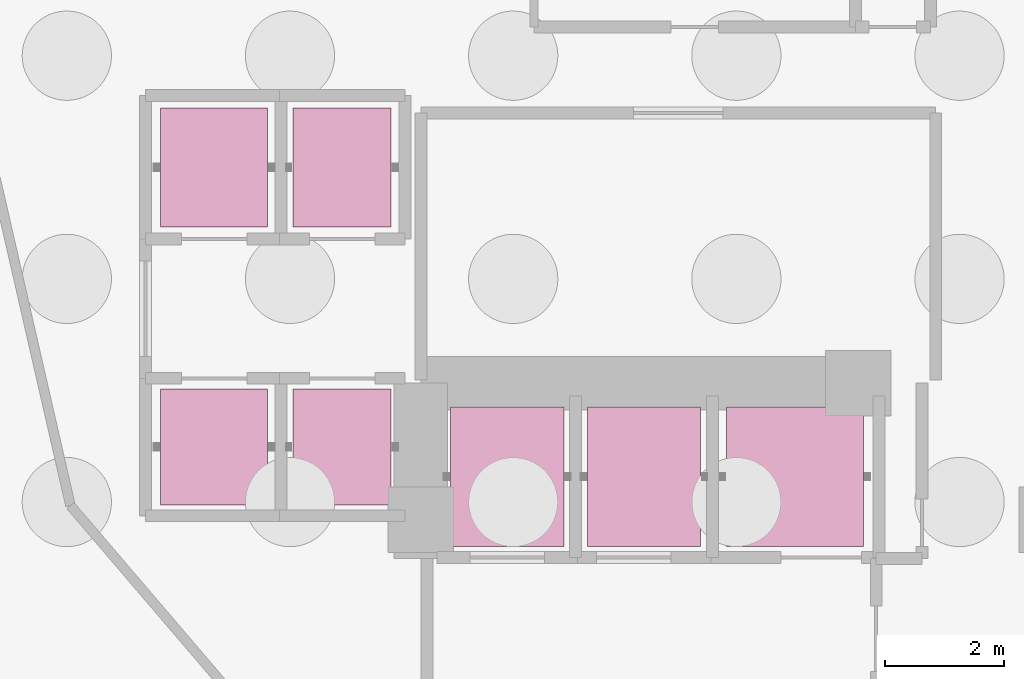
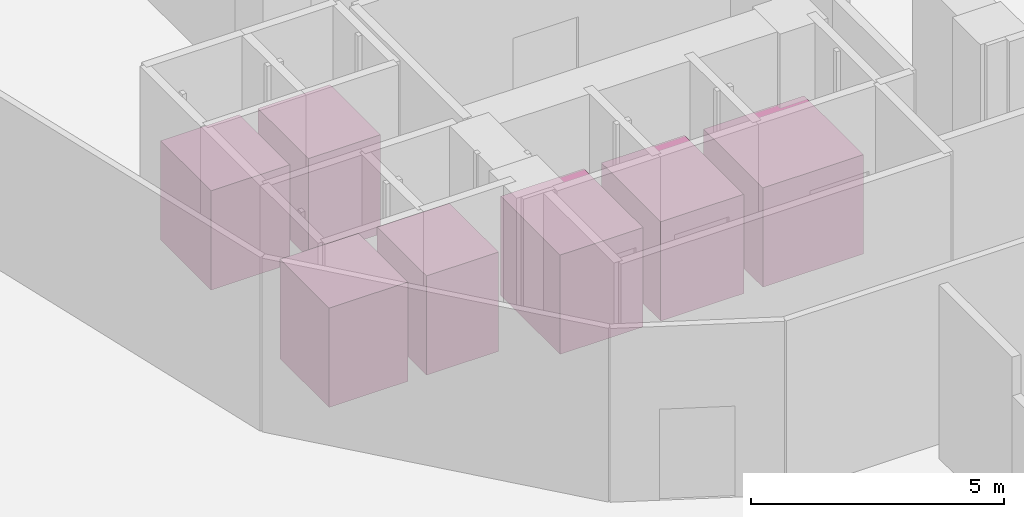
# One storey, part 9 of 9: 7 transport elements.
"""IFC4 building model written with IfcOpenShell, lengths in metres."""

from ifc_helpers import new_model, si_unit, direction, frame, origin, origin_2d, place, context, subcontext, project, spatial, rectangle, extrude, material, type_object, element, save


model = new_model("IFC4")

# Units and contexts
model_context = context("Model", 3, precision=1e-05, world=origin(), true_north=direction((0.0, 1.0)))
body_context = subcontext(model_context, "Body", "Model", "MODEL_VIEW")
ifc_project = project(units=[si_unit("LENGTHUNIT", "METRE"), si_unit("AREAUNIT", "SQUARE_METRE"), si_unit("VOLUMEUNIT", "CUBIC_METRE"), si_unit("PLANEANGLEUNIT", "RADIAN"), si_unit("MASSUNIT", "GRAM", prefix="KILO")], contexts=[model_context])

# Site, building, storey
site_placement = place(None, origin())
site = spatial("IfcSite", under=ifc_project, at=site_placement, CompositionType="ELEMENT")
building_placement = place(site_placement, origin())
building = spatial("IfcBuilding", under=site, at=building_placement, Name="Nuhasar Tower", CompositionType="ELEMENT")
storey_placement = place(building_placement, frame((0.0, 0.0, -9.0)))
storey = spatial("IfcBuildingStorey", under=building, at=storey_placement, Name="B2", CompositionType="ELEMENT", Elevation=-9.0)

# Transport elements
ifc_material = material(Name="Stainless Steel 316L", Category="steel")
transport_element_type_1 = type_object("IfcTransportElementType", Name="LFT-FIRE-2000", PredefinedType="ELEVATOR", material=ifc_material)
for number, where, z_axis, x_axis, name in (
    (1, (35.14990234375, 19.72509765625, 0.0), (0.0, 0.0, 1.0), (1.0, 0.0, 0.0), "Firefighting Lift FFL-01"),
    (2, (37.449951171875, 19.72509765625, 0.0), (0.0, 0.0, 1.0), (1.0, 0.0, 0.0), "Firefighting Lift FFL-02"),
):
    element("IfcTransportElement", number, at=place(storey_placement, frame(where, z_axis=z_axis, x_axis=x_axis)), inside=storey, type_object=transport_element_type_1, Name=name, PredefinedType="ELEVATOR", context=body_context, shape_type="SweptSolid", body=[
        extrude(rectangle(XDim=1.89990234375, YDim=2.35009765625, at=origin_2d()), origin(), (0.0, 0.0, 1.0), 2.39990234375),
    ])
transport_element_type_2 = type_object("IfcTransportElementType", Name="LFT-LOW-2000", PredefinedType="ELEVATOR", material=ifc_material)
transport_element_1_placement = place(storey_placement, frame((30.22509765625, 24.925048828125, 0.0), z_axis=(0.0, 0.0, 1.0), x_axis=(1.0, 0.0, 0.0)))
element("IfcTransportElement", 3, at=transport_element_1_placement, inside=storey, type_object=transport_element_type_2, Name="Passenger Lift PL-L01", PredefinedType="ELEVATOR", context=body_context, shape_type="SweptSolid", body=[
    extrude(rectangle(XDim=1.800048828125, YDim=2.0, at=origin_2d()), origin(), (0.0, 0.0, 1.0), 2.39990234375),
])
transport_element_2_placement = place(storey_placement, frame((32.375, 24.925048828125, 0.0), z_axis=(0.0, 0.0, 1.0), x_axis=(1.0, 0.0, 0.0)))
element("IfcTransportElement", 4, at=transport_element_2_placement, inside=storey, type_object=transport_element_type_2, Name="Passenger Lift PL-L02", PredefinedType="ELEVATOR", context=body_context, shape_type="SweptSolid", body=[
    extrude(rectangle(XDim=1.64990234375, YDim=2.0, at=origin_2d()), origin(), (0.0, 0.0, 1.0), 2.39990234375),
])
transport_element_3_placement = place(storey_placement, frame((30.22509765625, 20.22509765625, 0.0), z_axis=(0.0, 0.0, 1.0), x_axis=(1.0, 0.0, 0.0)))
element("IfcTransportElement", 5, at=transport_element_3_placement, inside=storey, type_object=transport_element_type_2, Name="Passenger Lift PL-L03", PredefinedType="ELEVATOR", context=body_context, shape_type="SweptSolid", body=[
    extrude(rectangle(XDim=1.800048828125, YDim=1.949951171875, at=origin_2d()), origin(), (0.0, 0.0, 1.0), 2.39990234375),
])
transport_element_4_placement = place(storey_placement, frame((32.375, 20.22509765625, 0.0), z_axis=(0.0, 0.0, 1.0), x_axis=(1.0, 0.0, 0.0)))
element("IfcTransportElement", 6, at=transport_element_4_placement, inside=storey, type_object=transport_element_type_2, Name="Passenger Lift PL-L04", PredefinedType="ELEVATOR", context=body_context, shape_type="SweptSolid", body=[
    extrude(rectangle(XDim=1.64990234375, YDim=1.949951171875, at=origin_2d()), origin(), (0.0, 0.0, 1.0), 2.39990234375),
])
transport_element_type_3 = type_object("IfcTransportElementType", Name="LFT-SERV-2500", PredefinedType="ELEVATOR", material=ifc_material)
transport_element_5_placement = place(storey_placement, frame((39.985107421875, 19.72509765625, 0.0), z_axis=(0.0, 0.0, 1.0), x_axis=(1.0, 0.0, 0.0)))
element("IfcTransportElement", 7, at=transport_element_5_placement, inside=storey, type_object=transport_element_type_3, Name="Service Goods Lift SVL-01", PredefinedType="ELEVATOR", context=body_context, shape_type="SweptSolid", body=[
    extrude(rectangle(XDim=2.300048828125, YDim=2.35009765625, at=origin_2d()), origin(), (0.0, 0.0, 1.0), 2.39990234375),
])

save(model, "model.ifc")
